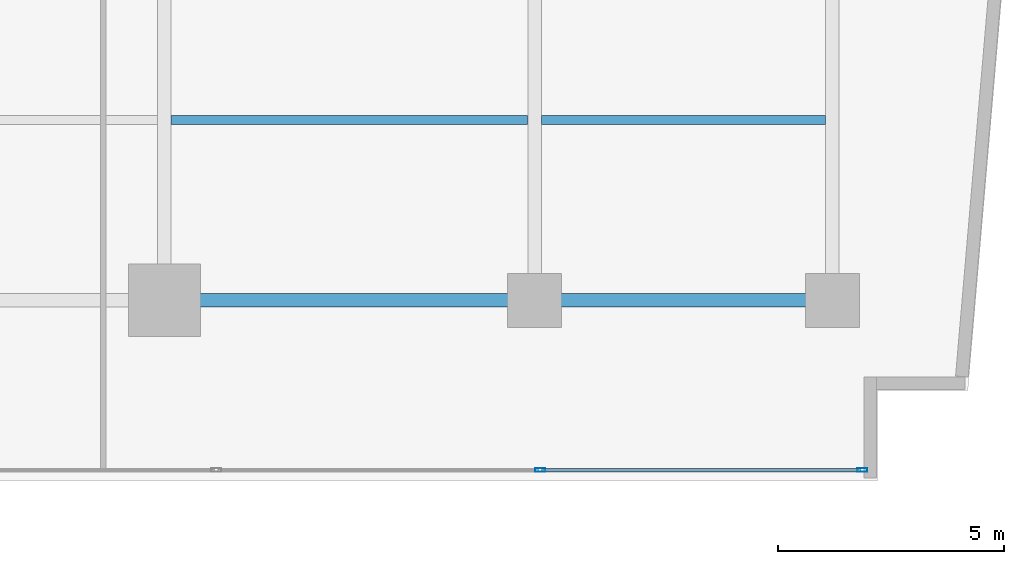
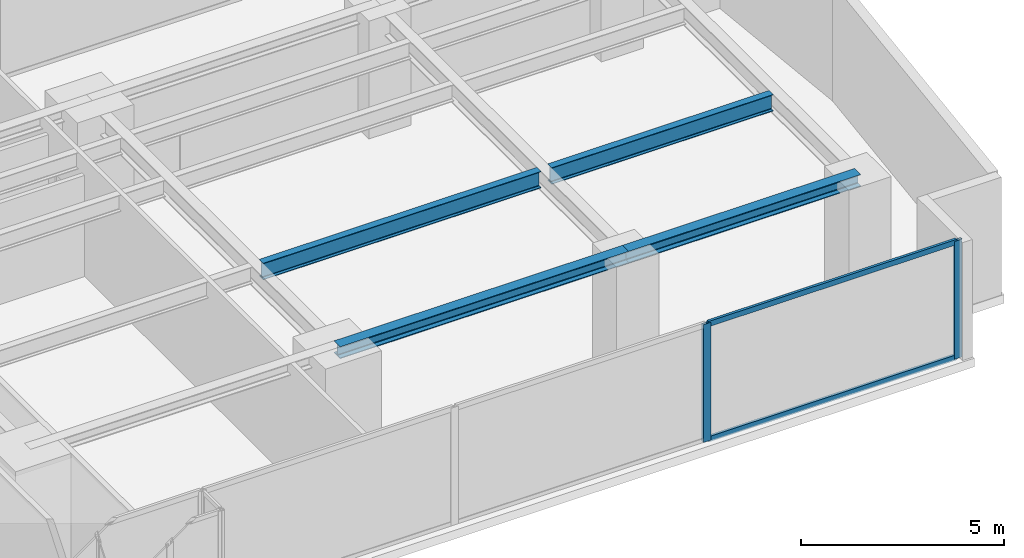
# One storey, part 11 of 28: 4 beams, 4 members, 1 element without a shape of its own.
"""IFC4 building model written with IfcOpenShell, lengths in metres."""

from ifc_helpers import new_model, si_unit, direction, frame, origin, origin_with_axes, origin_2d, place, context, subcontext, project, spatial, hollow_rectangle, i_section, extrude, source, transform, mapped, material, layer, layer_set, material_profile, profile_set, type_object, element, aggregate, save


model = new_model("IFC4")

# Units and contexts
model_context = context("Model", 3, precision=1e-05, world=origin(), true_north=direction((0.0, 1.0)))
body_context = subcontext(model_context, "Body", "Model", "MODEL_VIEW")
ifc_project = project(units=[si_unit("LENGTHUNIT", "METRE"), si_unit("AREAUNIT", "SQUARE_METRE"), si_unit("VOLUMEUNIT", "CUBIC_METRE"), si_unit("PLANEANGLEUNIT", "RADIAN"), si_unit("MASSUNIT", "GRAM", prefix="KILO")], contexts=[model_context])

# Site, building, storey
site_placement = place(None, origin())
site = spatial("IfcSite", under=ifc_project, at=site_placement, CompositionType="ELEMENT")
building_placement = place(site_placement, origin())
building = spatial("IfcBuilding", under=site, at=building_placement, Name="Kolvaren Waterfront Exchange", CompositionType="ELEMENT")
storey_placement = place(building_placement, frame((0.0, 0.0, 41.0)))
storey = spatial("IfcBuildingStorey", under=building, at=storey_placement, Name="L10", CompositionType="ELEMENT", Elevation=41.0)

# Beams
ifc_material_1 = material(Name="Steel S355", Category="steel")
ifc_material_profile_1 = material_profile(ifc_material_1, i_section(OverallWidth=0.300048828125, OverallDepth=0.360107421875, WebThickness=0.012451171875, FlangeThickness=0.0224609375, FilletRadius=0.027099609375, at=origin_2d()), Name="HEB360")
ifc_profile_set_1 = profile_set([ifc_material_profile_1], Name="Steel S355")
beam_type_1 = type_object("IfcBeamType", Name="STR-BM-HEB360", PredefinedType="SPANDREL", material=ifc_profile_set_1)
beam_1_placement = place(storey_placement, frame((45.60009765625, 5.199951171875, 3.360107421875), z_axis=(1.0, 0.0, 0.0), x_axis=(0.0, 1.0, 0.0)))
element("IfcBeam", 1, at=beam_1_placement, inside=storey, type_object=beam_type_1, Name="L10 east-arm spandrel S4", PredefinedType="SPANDREL", context=body_context, shape_type="SweptSolid", body=[
    extrude(i_section(OverallWidth=0.300048828125, OverallDepth=0.360107421875, WebThickness=0.012451171875, FlangeThickness=0.0224609375, FilletRadius=0.027099609375, at=origin_2d()), origin(), (0.0, 0.0, 1.0), 8.199951171875),
])
beam_2_placement = place(storey_placement, frame((53.800048828125, 5.199951171875, 3.360107421875), z_axis=(1.0, 0.0, 0.0), x_axis=(0.0, 1.0, 0.0)))
element("IfcBeam", 2, at=beam_2_placement, inside=storey, type_object=beam_type_1, Name="L10 east-arm spandrel S5", PredefinedType="SPANDREL", context=body_context, shape_type="SweptSolid", body=[
    extrude(i_section(OverallWidth=0.300048828125, OverallDepth=0.360107421875, WebThickness=0.012451171875, FlangeThickness=0.0224609375, FilletRadius=0.027099609375, at=origin_2d()), origin(), (0.0, 0.0, 1.0), 6.599853515625),
])
ifc_material_profile_2 = material_profile(ifc_material_1, i_section(OverallWidth=0.199951171875, OverallDepth=0.5, WebThickness=0.01025390625, FlangeThickness=0.01611328125, FilletRadius=0.02099609375, at=origin_2d()), Name="IPE500")
ifc_profile_set_2 = profile_set([ifc_material_profile_2], Name="Steel S355")
beam_type_2 = type_object("IfcBeamType", Name="STR-BM-IPE500", PredefinedType="JOIST", material=ifc_profile_set_2)
beam_3_placement = place(storey_placement, frame((45.751953125, 9.199951171875, 3.2900390625), z_axis=(1.0, 0.0, 0.0), x_axis=(0.0, 1.0, 0.0)))
element("IfcBeam", 3, at=beam_3_placement, inside=storey, type_object=beam_type_2, Name="L10 east-arm composite joist 4B", PredefinedType="JOIST", context=body_context, shape_type="SweptSolid", body=[
    extrude(i_section(OverallWidth=0.199951171875, OverallDepth=0.5, WebThickness=0.01025390625, FlangeThickness=0.01611328125, FilletRadius=0.02099609375, at=origin_2d()), origin(), (0.0, 0.0, 1.0), 7.89599609375),
])
beam_4_placement = place(storey_placement, frame((53.951904296875, 9.199951171875, 3.2900390625), z_axis=(1.0, 0.0, 0.0), x_axis=(0.0, 1.0, 0.0)))
element("IfcBeam", 4, at=beam_4_placement, inside=storey, type_object=beam_type_2, Name="L10 east-arm composite joist 5B", PredefinedType="JOIST", context=body_context, shape_type="SweptSolid", body=[
    extrude(i_section(OverallWidth=0.199951171875, OverallDepth=0.5, WebThickness=0.01025390625, FlangeThickness=0.01611328125, FilletRadius=0.02099609375, at=origin_2d()), origin(), (0.0, 0.0, 1.0), 6.296142578125),
])

# Curtain wall, members
ifc_material_2 = material(Name="Anodised bronze aluminium 6063-T6", Category="aluminium")
ifc_layer = layer(ifc_material_2, 0.219970703125, Name="Anodised bronze aluminium 6063-T6")
ifc_layer_set = layer_set([ifc_layer], Name="Anodised bronze aluminium 6063-T6")
curtain_wall_type = type_object("IfcCurtainWallType", Name="ARC-CW-SYS1", PredefinedType="USERDEFINED", material=ifc_layer_set)
curtain_wall_placement = place(storey_placement, origin())
curtain_wall = element("IfcCurtainWall", 5, at=curtain_wall_placement, inside=storey, type_object=curtain_wall_type, Name="L10 stick curtain wall CW1 (CW-L10-S)", ObjectType="STICK CURTAIN WALL", PredefinedType="USERDEFINED")
ifc_material_3 = material(Name="Anodised aluminium 6063-T6", Category="aluminium")
ifc_material_profile_3 = material_profile(ifc_material_3, hollow_rectangle(XDim=0.074951171875, YDim=0.159912109375, WallThickness=0.00439453125, at=origin_2d()), Name="ALU-TRN-160x75x4.5")
ifc_profile_set_3 = profile_set([ifc_material_profile_3], Name="Anodised aluminium 6063-T6")
member_type_1 = type_object("IfcMemberType", Name="ARC-CWT-160", PredefinedType="USERDEFINED", material=ifc_profile_set_3)
shared_shape_1 = source(origin_with_axes(), body_context, "Body", "SweptSolid", [
    extrude(hollow_rectangle(XDim=0.074951171875, YDim=0.159912109375, WallThickness=0.00439453125, at=origin_2d()), origin(), (0.0, 0.0, 1.0), 7.054931640625),
])
member_1_placement = place(storey_placement, frame((53.965087890625, 1.43994140625, 0.03759765625), z_axis=(1.0, 0.0, 0.0), x_axis=(0.0, 1.0, 0.0)))
member_1 = element("IfcMember", 6, at=member_1_placement, type_object=member_type_1, Name="CW1 transom 8.1", ObjectType="TRANSOM", PredefinedType="USERDEFINED", context=body_context, shape_type="MappedRepresentation", body=[
    mapped(shared_shape_1, transform((0.0, 0.0, 0.0), x_axis=(1.0, 0.0, 0.0), y_axis=(0.0, 1.0, 0.0), z_axis=(0.0, 0.0, 1.0), scale=1.0)),
])
member_2_placement = place(storey_placement, frame((53.965087890625, 1.43994140625, 3.50244140625), z_axis=(1.0, 0.0, 0.0), x_axis=(0.0, 1.0, 0.0)))
member_2 = element("IfcMember", 7, at=member_2_placement, type_object=member_type_1, Name="CW1 transom 8.2", ObjectType="TRANSOM", PredefinedType="USERDEFINED", context=body_context, shape_type="MappedRepresentation", body=[
    mapped(shared_shape_1, transform((0.0, 0.0, 0.0), x_axis=(1.0, 0.0, 0.0), y_axis=(0.0, 1.0, 0.0), z_axis=(0.0, 0.0, 1.0), scale=1.0)),
])
ifc_material_profile_4 = material_profile(ifc_material_3, hollow_rectangle(XDim=0.080078125, YDim=0.219970703125, WallThickness=0.0048828125, at=origin_2d()), Name="ALU-MUL-220x80x5")
ifc_profile_set_4 = profile_set([ifc_material_profile_4], Name="Anodised aluminium 6063-T6")
member_type_2 = type_object("IfcMemberType", Name="ARC-CWM-220", PredefinedType="MULLION", material=ifc_profile_set_4)
shared_shape_2 = source(origin_with_axes(), body_context, "Body", "SweptSolid", [
    extrude(hollow_rectangle(XDim=0.080078125, YDim=0.219970703125, WallThickness=0.0048828125, at=origin_2d()), origin(), (0.0, 0.0, 1.0), 3.5400390625),
])
member_3_placement = place(storey_placement, frame((53.925048828125, 1.43994140625, 0.0), z_axis=(0.0, 0.0, 1.0), x_axis=(0.0, 1.0, 0.0)))
member_3 = element("IfcMember", 8, at=member_3_placement, type_object=member_type_2, Name="CW1 mullion 8", PredefinedType="MULLION", context=body_context, shape_type="MappedRepresentation", body=[
    mapped(shared_shape_2, transform((0.0, 0.0, 0.0), x_axis=(1.0, 0.0, 0.0), y_axis=(0.0, 1.0, 0.0), z_axis=(0.0, 0.0, 1.0), scale=1.0)),
])
member_4_placement = place(storey_placement, frame((61.06005859375, 1.43994140625, 0.0), z_axis=(0.0, 0.0, 1.0), x_axis=(0.0, 1.0, 0.0)))
member_4 = element("IfcMember", 9, at=member_4_placement, type_object=member_type_2, Name="CW1 mullion 9", PredefinedType="MULLION", context=body_context, shape_type="MappedRepresentation", body=[
    mapped(shared_shape_2, transform((0.0, 0.0, 0.0), x_axis=(1.0, 0.0, 0.0), y_axis=(0.0, 1.0, 0.0), z_axis=(0.0, 0.0, 1.0), scale=1.0)),
])
aggregate(curtain_wall, [member_3, member_4, member_1, member_2])

save(model, "model.ifc")
